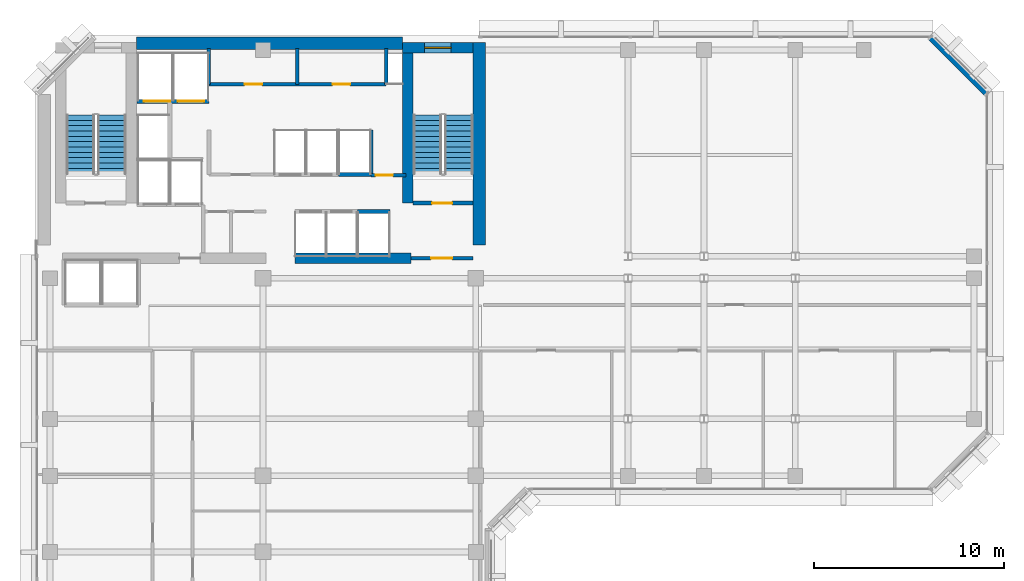
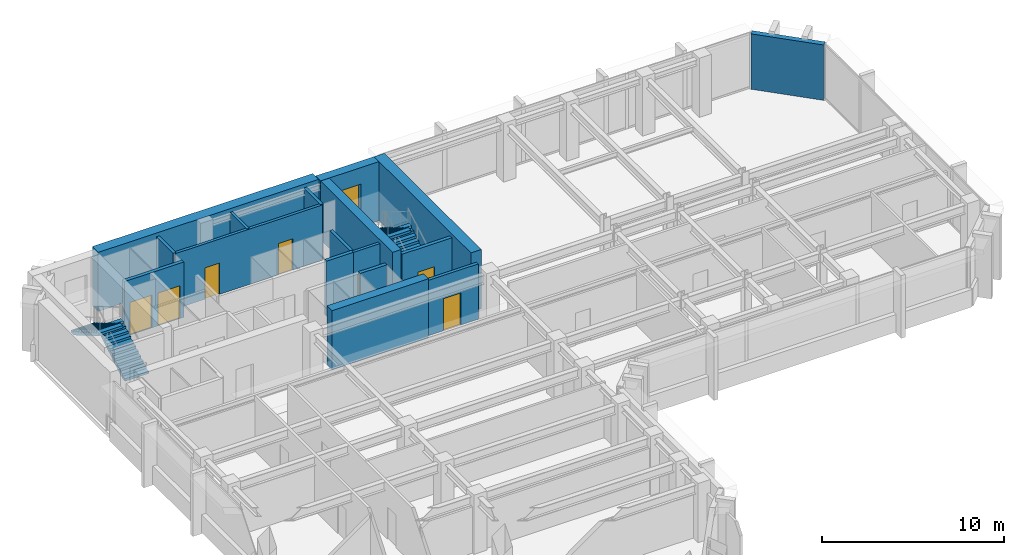
# One storey, part 8 of 11: 17 walls, 7 doors, 4 stair flights, 1 window, 8 openings, 2 elements without a shape of their own.
"""IFC4 building model written with IfcOpenShell, lengths in metres."""

from ifc_helpers import new_model, si_unit, direction, frame, frame_2d, origin, place, context, subcontext, project, spatial, polyline, rectangle, outline, extrude, material, layer, layer_set, type_object, element, fill, aggregate, save


model = new_model("IFC4")

# Units and contexts
model_context = context("Model", 3, precision=1e-05, world=origin(), true_north=direction((0.0, 1.0)))
body_context = subcontext(model_context, "Body", "Model", "MODEL_VIEW")
ifc_project = project(units=[si_unit("LENGTHUNIT", "METRE"), si_unit("AREAUNIT", "SQUARE_METRE"), si_unit("VOLUMEUNIT", "CUBIC_METRE"), si_unit("PLANEANGLEUNIT", "RADIAN"), si_unit("MASSUNIT", "GRAM", prefix="KILO")], contexts=[model_context])

# Site, building, storey
site_placement = place(None, origin())
site = spatial("IfcSite", under=ifc_project, at=site_placement, CompositionType="ELEMENT")
building_placement = place(site_placement, origin())
building = spatial("IfcBuilding", under=site, at=building_placement, Name="Kefirva Bronze Tower", CompositionType="ELEMENT")
storey_placement = place(building_placement, frame((0.0, 0.0, 191.39990234375)))
storey = spatial("IfcBuildingStorey", under=building, at=storey_placement, Name="L46", CompositionType="ELEMENT", Elevation=191.39990234375)

# Wall, opening, door
ifc_material_1 = material(Name="Gypsum fireboard shaftwall")
ifc_layer_1 = layer(ifc_material_1, 0.219970703125, Name="Gypsum fireboard shaftwall")
ifc_layer_set_1 = layer_set([ifc_layer_1], Name="Gypsum fireboard shaftwall")
wall_type_1 = type_object("IfcWallType", Name="Fire-Rated Shaft Enclosure Wall 220mm", PredefinedType="PARTITIONING", material=ifc_layer_set_1)
wall_1_placement = place(storey_placement, frame((19.89990234375, 37.14990234375, 0.0), z_axis=(0.0, 0.0, 1.0), x_axis=(1.0, 0.0, 0.0)))
wall_1 = element("IfcWall", 1, at=wall_1_placement, inside=storey, type_object=wall_type_1, Name="L46 Partition W-L46-ST2S", PredefinedType="PARTITIONING", context=body_context, shape_type="SweptSolid", body=[
    extrude(rectangle(XDim=3.150146484375, YDim=0.219970703125, at=frame_2d((1.5751953125, 0.0))), origin(), (0.0, 0.0, 1.0), 3.710205078125),
])
opening_1_placement = place(wall_1_placement, frame((2.050048828125, 0.0, 0.0), z_axis=(0.0, 0.0, 1.0), x_axis=(-1.0, 0.0, 0.0)))
opening_1 = element("IfcOpeningElement", 2, at=opening_1_placement, cuts=wall_1, Name="Opening L46-D003", PredefinedType="OPENING", context=body_context, shape_type="SweptSolid", body=[
    extrude(rectangle(XDim=1.050048828125, YDim=2.14990234375, at=frame_2d((0.52490234375, 1.074951171875))), frame((0.0, 0.1201171875, 0.0), z_axis=(0.0, -1.0, 0.0), x_axis=(1.0, 0.0, 0.0)), (0.0, 0.0, 1.0), 0.239990234375),
])
ifc_material_2 = material(Name="Painted galvanized steel", Category="steel")
door_type_1 = type_object("IfcDoorType", Name="Fire Stair Enclosure Door 1050x2150 FD90S", OperationType="NOTDEFINED", PredefinedType="DOOR", material=ifc_material_2)
door_1_placement = place(opening_1_placement, origin())
door_1 = element("IfcDoor", 3, at=door_1_placement, inside=storey, type_object=door_type_1, Name="Door L46-D003", OperationType="SINGLE_SWING_RIGHT", OverallHeight=2.14990234375, OverallWidth=1.050048828125, PredefinedType="DOOR", context=body_context, shape_type="SweptSolid", body=[
    extrude(rectangle(XDim=1.050048828125, YDim=2.14990234375, at=frame_2d((0.52490234375, 1.074951171875))), frame((0.0, 0.02490234375, 0.0), z_axis=(0.0, -1.0, 0.0), x_axis=(1.0, 0.0, 0.0)), (0.0, 0.0, 1.0), 0.050048828125),
])
fill(opening_1, door_1)

# Wall, openings, doors
wall_2_placement = place(storey_placement, frame((5.3798828125, 42.5, 0.0), z_axis=(0.0, 0.0, 1.0), x_axis=(1.0, 0.0, 0.0)))
wall_2 = element("IfcWall", 4, at=wall_2_placement, inside=storey, type_object=wall_type_1, Name="L46 Partition W-L46-SVS", PredefinedType="PARTITIONING", context=body_context, shape_type="SweptSolid", body=[
    extrude(rectangle(XDim=3.77001953125, YDim=0.219970703125, at=frame_2d((1.885009765625, 0.0))), origin(), (0.0, 0.0, 1.0), 3.710205078125),
])
opening_2_placement = place(wall_2_placement, frame((1.75, 0.0, 0.0), z_axis=(0.0, 0.0, 1.0), x_axis=(-1.0, 0.0, 0.0)))
opening_2 = element("IfcOpeningElement", 5, at=opening_2_placement, cuts=wall_2, Name="Opening L46-LD-SV1", PredefinedType="OPENING", context=body_context, shape_type="SweptSolid", body=[
    extrude(rectangle(XDim=1.39990234375, YDim=2.199951171875, at=frame_2d((0.699951171875, 1.10009765625))), frame((0.0, 0.1201171875, 0.0), z_axis=(0.0, -1.0, 0.0), x_axis=(1.0, 0.0, 0.0)), (0.0, 0.0, 1.0), 0.239990234375),
])
opening_3_placement = place(wall_2_placement, frame((3.52978515625, 0.0, 0.0), z_axis=(0.0, 0.0, 1.0), x_axis=(-1.0, 0.0, 0.0)))
opening_3 = element("IfcOpeningElement", 6, at=opening_3_placement, cuts=wall_2, Name="Opening L46-LD-SV2", PredefinedType="OPENING", context=body_context, shape_type="SweptSolid", body=[
    extrude(rectangle(XDim=1.39990234375, YDim=2.199951171875, at=frame_2d((0.699951171875, 1.10009765625))), frame((0.0, 0.1201171875, 0.0), z_axis=(0.0, -1.0, 0.0), x_axis=(1.0, 0.0, 0.0)), (0.0, 0.0, 1.0), 0.239990234375),
])
ifc_material_3 = material(Name="Stainless steel 316", Category="steel")
door_type_2 = type_object("IfcDoorType", Name="Goods Lift Bi-Parting Sliding Door 1400x2200", OperationType="SLIDING_TO_LEFT", PredefinedType="DOOR", material=ifc_material_3)
door_2_placement = place(opening_2_placement, origin())
door_2 = element("IfcDoor", 7, at=door_2_placement, inside=storey, type_object=door_type_2, Name="Door L46-LD-SV1", OperationType="SLIDING_TO_LEFT", OverallHeight=2.199951171875, OverallWidth=1.39990234375, PredefinedType="DOOR", context=body_context, shape_type="SweptSolid", body=[
    extrude(rectangle(XDim=1.39990234375, YDim=2.199951171875, at=frame_2d((0.699951171875, 1.10009765625))), frame((0.0, 0.02490234375, 0.0), z_axis=(0.0, -1.0, 0.0), x_axis=(1.0, 0.0, 0.0)), (0.0, 0.0, 1.0), 0.050048828125),
])
fill(opening_2, door_2)
door_3_placement = place(opening_3_placement, origin())
door_3 = element("IfcDoor", 8, at=door_3_placement, inside=storey, type_object=door_type_2, Name="Door L46-LD-SV2", OperationType="SLIDING_TO_LEFT", OverallHeight=2.199951171875, OverallWidth=1.39990234375, PredefinedType="DOOR", context=body_context, shape_type="SweptSolid", body=[
    extrude(rectangle(XDim=1.39990234375, YDim=2.199951171875, at=frame_2d((0.699951171875, 1.10009765625))), frame((0.0, 0.02490234375, 0.0), z_axis=(0.0, -1.0, 0.0), x_axis=(1.0, 0.0, 0.0)), (0.0, 0.0, 1.0), 0.050048828125),
])
fill(opening_3, door_3)

# Walls
wall_3_placement = place(storey_placement, frame((17.679931640625, 38.64990234375, 0.0), z_axis=(0.0, 0.0, 1.0), x_axis=(0.0, 1.0, 0.0)))
element("IfcWall", 9, at=wall_3_placement, inside=storey, type_object=wall_type_1, Name="L46 Partition W-L46-HP2E", PredefinedType="PARTITIONING", context=body_context, shape_type="SweptSolid", body=[
    extrude(rectangle(XDim=2.35009765625, YDim=0.199951171875, at=frame_2d((1.175048828125, 0.0))), origin(), (0.0, 0.0, 1.0), 3.710205078125),
])
wall_4_placement = place(storey_placement, frame((16.97998046875, 36.699951171875, 0.0), z_axis=(0.0, 0.0, 1.0), x_axis=(1.0, 0.0, 0.0)))
element("IfcWall", 10, at=wall_4_placement, inside=storey, type_object=wall_type_1, Name="L46 Partition W-L46-HPS", PredefinedType="PARTITIONING", context=body_context, shape_type="SweptSolid", body=[
    extrude(rectangle(XDim=1.699951171875, YDim=0.219970703125, at=frame_2d((0.85009765625, 0.0))), origin(), (0.0, 0.0, 1.0), 3.710205078125),
])
wall_5_placement = place(storey_placement, frame((15.97998046875, 38.64990234375, 0.0), z_axis=(0.0, 0.0, 1.0), x_axis=(1.0, 0.0, 0.0)))
element("IfcWall", 11, at=wall_5_placement, inside=storey, type_object=wall_type_1, Name="L46 Partition W-L46-HPN", PredefinedType="PARTITIONING", context=body_context, shape_type="SweptSolid", body=[
    extrude(rectangle(XDim=1.719970703125, YDim=0.219970703125, at=frame_2d((0.85986328125, 0.0))), origin(), (0.0, 0.0, 1.0), 3.710205078125),
])

# Wall, opening, door
ifc_material_4 = material(Name="Gypsum fireboard barrier")
ifc_layer_2 = layer(ifc_material_4, 0.199951171875, Name="Gypsum fireboard barrier")
ifc_layer_set_2 = layer_set([ifc_layer_2], Name="Gypsum fireboard barrier")
wall_type_2 = type_object("IfcWallType", Name="Firefighting Lobby Barrier Wall 200mm", PredefinedType="PARTITIONING", material=ifc_layer_set_2)
wall_6_placement = place(storey_placement, frame((19.800048828125, 34.25, 0.0), z_axis=(0.0, 0.0, 1.0), x_axis=(1.0, 0.0, 0.0)))
wall_6 = element("IfcWall", 12, at=wall_6_placement, inside=storey, type_object=wall_type_2, Name="L46 Partition W-L46-ST2F", PredefinedType="PARTITIONING", context=body_context, shape_type="SweptSolid", body=[
    extrude(rectangle(XDim=3.25, YDim=0.199951171875, at=frame_2d((1.625, 0.0))), origin(), (0.0, 0.0, 1.0), 3.710205078125),
])
opening_4_placement = place(wall_6_placement, frame((2.150146484375, 0.0, 0.0), z_axis=(0.0, 0.0, 1.0), x_axis=(-1.0, 0.0, 0.0)))
opening_4 = element("IfcOpeningElement", 13, at=opening_4_placement, cuts=wall_6, Name="Opening L46-D004", PredefinedType="OPENING", context=body_context, shape_type="SweptSolid", body=[
    extrude(rectangle(XDim=1.10009765625, YDim=2.14990234375, at=frame_2d((0.550048828125, 1.074951171875))), frame((0.0, 0.10986328125, 0.0), z_axis=(0.0, -1.0, 0.0), x_axis=(1.0, 0.0, 0.0)), (0.0, 0.0, 1.0), 0.219970703125),
])
door_type_3 = type_object("IfcDoorType", Name="Firefighting Lobby Smoke Door 1100x2150 FD60S", OperationType="NOTDEFINED", PredefinedType="DOOR", material=ifc_material_2)
door_4_placement = place(opening_4_placement, origin())
door_4 = element("IfcDoor", 14, at=door_4_placement, inside=storey, type_object=door_type_3, Name="Door L46-D004", OperationType="SINGLE_SWING_LEFT", OverallHeight=2.14990234375, OverallWidth=1.10009765625, PredefinedType="DOOR", context=body_context, shape_type="SweptSolid", body=[
    extrude(rectangle(XDim=1.10009765625, YDim=2.14990234375, at=frame_2d((0.550048828125, 1.074951171875))), frame((0.0, 0.02490234375, 0.0), z_axis=(0.0, -1.0, 0.0), x_axis=(1.0, 0.0, 0.0)), (0.0, 0.0, 1.0), 0.050048828125),
])
fill(opening_4, door_4)

wall_7_placement = place(storey_placement, frame((17.679931640625, 38.6201171875, 0.0), z_axis=(0.0, 0.0, 1.0), x_axis=(1.0, 0.0, 0.0)))
wall_7 = element("IfcWall", 15, at=wall_7_placement, inside=storey, type_object=wall_type_2, Name="L46 Partition W-L46-CPASS", PredefinedType="PARTITIONING", context=body_context, shape_type="SweptSolid", body=[
    extrude(rectangle(XDim=1.840087890625, YDim=0.179931640625, at=frame_2d((0.919921875, 0.0))), origin(), (0.0, 0.0, 1.0), 3.710205078125),
])
opening_5_placement = place(wall_7_placement, frame((0.239990234375, 0.0, 0.0)))
opening_5 = element("IfcOpeningElement", 16, at=opening_5_placement, cuts=wall_7, Name="Opening L46-D-CPAS", PredefinedType="OPENING", context=body_context, shape_type="SweptSolid", body=[
    extrude(rectangle(XDim=0.919921875, YDim=2.10009765625, at=frame_2d((0.4599609375, 1.050048828125))), frame((0.0, 0.10009765625, 0.0), z_axis=(0.0, -1.0, 0.0), x_axis=(1.0, 0.0, 0.0)), (0.0, 0.0, 1.0), 0.199951171875),
])
ifc_material_5 = material(Name="Moisture-resistant timber", Category="wood")
door_type_4 = type_object("IfcDoorType", Name="Accessible Sanitary & WC Door 920x2100", OperationType="NOTDEFINED", PredefinedType="DOOR", material=ifc_material_5)
door_5_placement = place(opening_5_placement, origin())
door_5 = element("IfcDoor", 17, at=door_5_placement, inside=storey, type_object=door_type_4, Name="Door L46-D-CPAS", OperationType="SINGLE_SWING_RIGHT", OverallHeight=2.10009765625, OverallWidth=0.919921875, PredefinedType="DOOR", context=body_context, shape_type="SweptSolid", body=[
    extrude(rectangle(XDim=0.919921875, YDim=2.10009765625, at=frame_2d((0.4599609375, 1.050048828125))), frame((0.0, 0.02490234375, 0.0), z_axis=(0.0, -1.0, 0.0), x_axis=(1.0, 0.0, 0.0)), (0.0, 0.0, 1.0), 0.050048828125),
])
fill(opening_5, door_5)

# Wall
ifc_material_6 = material(Name="Precast concrete C40/50", Category="concrete")
ifc_layer_3 = layer(ifc_material_6, 0.320068359375, Name="Precast concrete C40/50")
ifc_layer_set_3 = layer_set([ifc_layer_3], Name="Precast concrete C40/50")
wall_type_3 = type_object("IfcWallType", Name="Precast Insulated Exterior Wall 320mm", PredefinedType="SOLIDWALL", material=ifc_layer_set_3)
wall_8_placement = place(storey_placement, frame((50.048095703125, 42.92578125, 0.0), z_axis=(0.0, 0.0, 1.0), x_axis=(-0.707136318428, 0.707077242712, 0.0)))
element("IfcWall", 18, at=wall_8_placement, inside=storey, type_object=wall_type_3, Name="L46 Exterior Facade Wall 6", PredefinedType="SOLIDWALL", context=body_context, shape_type="SweptSolid", body=[
    extrude(rectangle(XDim=4.132568359375, YDim=0.320068359375, at=frame_2d((2.06640625, 0.0))), origin(), (0.0, 0.0, 1.0), 3.710205078125),
])

# Wall, opening, window
ifc_material_7 = material(Name="Concrete C50/60", Category="concrete")
ifc_layer_4 = layer(ifc_material_7, 0.550048828125, Name="Concrete C50/60")
ifc_layer_set_4 = layer_set([ifc_layer_4], Name="Concrete C50/60")
wall_type_4 = type_object("IfcWallType", Name="RC Rear Core Exterior Wall 550mm", PredefinedType="SHEAR", material=ifc_layer_set_4)
wall_9_placement = place(storey_placement, frame((19.35009765625, 45.320068359375, 0.0), z_axis=(0.0, 0.0, 1.0), x_axis=(1.0, 0.0, 0.0)))
wall_9 = element("IfcWall", 19, at=wall_9_placement, inside=storey, type_object=wall_type_4, Name="L46 Stair 2 North Shear Wall", PredefinedType="SHEAR", context=body_context, shape_type="SweptSolid", body=[
    extrude(rectangle(XDim=3.68994140625, YDim=0.550048828125, at=frame_2d((1.844970703125, 0.0))), origin(), (0.0, 0.0, 1.0), 3.960205078125),
])
opening_6_placement = place(wall_9_placement, frame((1.14990234375, 0.0, 1.050048828125)))
opening_6 = element("IfcOpeningElement", 20, at=opening_6_placement, cuts=wall_9, Name="Opening WN-03", PredefinedType="OPENING", context=body_context, shape_type="SweptSolid", body=[
    extrude(rectangle(XDim=1.39990234375, YDim=1.800048828125, at=frame_2d((0.699951171875, 0.89990234375))), frame((0.0, 0.28515625, 0.0), z_axis=(0.0, -1.0, 0.0), x_axis=(1.0, 0.0, 0.0)), (0.0, 0.0, 1.0), 0.570068359375),
])
ifc_material_8 = material(Name="Laminated low-E double glazing", Category="glass")
window_type = type_object("IfcWindowType", Name="Rear-Core Stair Daylight Window 1400x1800", PartitioningType="SINGLE_PANEL", PredefinedType="WINDOW", material=ifc_material_8)
window_placement = place(opening_6_placement, origin())
window = element("IfcWindow", 21, at=window_placement, inside=storey, type_object=window_type, Name="L46 Stair 2 Daylight Window", OverallHeight=1.800048828125, OverallWidth=1.39990234375, PartitioningType="SINGLE_PANEL", PredefinedType="WINDOW", context=body_context, shape_type="SweptSolid", body=[
    extrude(rectangle(XDim=1.39990234375, YDim=1.800048828125, at=frame_2d((0.699951171875, 0.89990234375))), frame((0.0, 0.030029296875, 0.0), z_axis=(0.0, -1.0, 0.0), x_axis=(1.0, 0.0, 0.0)), (0.0, 0.0, 1.0), 0.06005859375),
])
fill(opening_6, window)

# Walls
ifc_layer_5 = layer(ifc_material_7, 0.64990234375, Name="Concrete C50/60")
ifc_layer_set_5 = layer_set([ifc_layer_5], Name="Concrete C50/60")
wall_type_5 = type_object("IfcWallType", Name="RC Rear Core Exterior Wall 650mm", PredefinedType="SHEAR", material=ifc_layer_set_5)
wall_10_placement = place(storey_placement, frame((5.360107421875, 45.550048828125, 0.0), z_axis=(0.0, 0.0, 1.0), x_axis=(1.0, 0.0, 0.0)))
element("IfcWall", 22, at=wall_10_placement, inside=storey, type_object=wall_type_5, Name="L46 Rear Core North Shear Wall", PredefinedType="SHEAR", context=body_context, shape_type="SweptSolid", body=[
    extrude(rectangle(XDim=13.97998046875, YDim=0.64990234375, at=frame_2d((6.989990234375, 0.0))), origin(), (0.0, 0.0, 1.0), 3.960205078125),
])
ifc_layer_6 = layer(ifc_material_7, 0.550048828125, Name="Concrete C50/60")
ifc_layer_set_6 = layer_set([ifc_layer_6], Name="Concrete C50/60")
wall_type_6 = type_object("IfcWallType", Name="RC Rear Core Interior Wall 550mm", PredefinedType="SHEAR", material=ifc_layer_set_6)
wall_11_placement = place(storey_placement, frame((19.6201171875, 37.14990234375, 0.0), z_axis=(0.0, 0.0, 1.0), x_axis=(0.0, 1.0, 0.0)))
element("IfcWall", 23, at=wall_11_placement, inside=storey, type_object=wall_type_6, Name="L46 Stair 2 West Shear Wall", PredefinedType="SHEAR", context=body_context, shape_type="SweptSolid", body=[
    extrude(rectangle(XDim=7.89013671875, YDim=0.550048828125, at=frame_2d((3.945068359375, 0.0))), origin(), (0.0, 0.0, 1.0), 3.960205078125),
])
ifc_layer_7 = layer(ifc_material_7, 0.64990234375, Name="Concrete C50/60")
ifc_layer_set_7 = layer_set([ifc_layer_7], Name="Concrete C50/60")
wall_type_7 = type_object("IfcWallType", Name="RC Rear Core Interior Wall 650mm", PredefinedType="SHEAR", material=ifc_layer_set_7)
wall_12_placement = place(storey_placement, frame((23.375, 34.949951171875, 0.0), z_axis=(0.0, 0.0, 1.0), x_axis=(0.0, 1.0, 0.0)))
element("IfcWall", 24, at=wall_12_placement, inside=storey, type_object=wall_type_7, Name="L46 Rear Core East Shear Wall", PredefinedType="SHEAR", context=body_context, shape_type="SweptSolid", body=[
    extrude(rectangle(XDim=10.64013671875, YDim=0.64990234375, at=frame_2d((5.320068359375, 0.0))), origin(), (0.0, 0.0, 1.0), 3.960205078125),
])
wall_13_placement = place(storey_placement, frame((13.679931640625, 34.25, 0.0), z_axis=(0.0, 0.0, 1.0), x_axis=(1.0, 0.0, 0.0)))
element("IfcWall", 25, at=wall_13_placement, inside=storey, type_object=wall_type_7, Name="L46 Rear Core South-East Shear Wall", PredefinedType="SHEAR", context=body_context, shape_type="SweptSolid", body=[
    extrude(rectangle(XDim=6.1201171875, YDim=0.550048828125, at=frame_2d((3.06005859375, 0.0))), origin(), (0.0, 0.0, 1.0), 3.960205078125),
])

# Wall, openings, doors
ifc_material_9 = material(Name="Moisture-resistant partition")
ifc_layer_8 = layer(ifc_material_9, 0.179931640625, Name="Moisture-resistant partition")
ifc_layer_set_8 = layer_set([ifc_layer_8], Name="Moisture-resistant partition")
wall_type_8 = type_object("IfcWallType", Name="Sanitary Plumbing Chase Wall 180mm", PredefinedType="PLUMBINGWALL", material=ifc_layer_set_8)
wall_14_placement = place(storey_placement, frame((9.14990234375, 43.39990234375, 0.0), z_axis=(0.0, 0.0, 1.0), x_axis=(1.0, 0.0, 0.0)))
wall_14 = element("IfcWall", 26, at=wall_14_placement, inside=storey, type_object=wall_type_8, Name="L46 Partition W-L46-SVCS", PredefinedType="PLUMBINGWALL", context=body_context, shape_type="SweptSolid", body=[
    extrude(rectangle(XDim=9.330078125, YDim=0.179931640625, at=frame_2d((4.6650390625, 0.0))), origin(), (0.0, 0.0, 1.0), 3.710205078125),
])
opening_7_placement = place(wall_14_placement, frame((1.8798828125, 0.0, 0.0)))
opening_7 = element("IfcOpeningElement", 27, at=opening_7_placement, cuts=wall_14, Name="Opening L46-D-CSVC1", PredefinedType="OPENING", context=body_context, shape_type="SweptSolid", body=[
    extrude(rectangle(XDim=0.919921875, YDim=2.10009765625, at=frame_2d((0.4599609375, 1.050048828125))), frame((0.0, 0.10009765625, 0.0), z_axis=(0.0, -1.0, 0.0), x_axis=(1.0, 0.0, 0.0)), (0.0, 0.0, 1.0), 0.199951171875),
])
opening_8_placement = place(wall_14_placement, frame((6.514892578125, 0.0, 0.0)))
opening_8 = element("IfcOpeningElement", 28, at=opening_8_placement, cuts=wall_14, Name="Opening L46-D-CSVC2", PredefinedType="OPENING", context=body_context, shape_type="SweptSolid", body=[
    extrude(rectangle(XDim=0.919921875, YDim=2.10009765625, at=frame_2d((0.4599609375, 1.050048828125))), frame((0.0, 0.10009765625, 0.0), z_axis=(0.0, -1.0, 0.0), x_axis=(1.0, 0.0, 0.0)), (0.0, 0.0, 1.0), 0.199951171875),
])
door_6_placement = place(opening_7_placement, origin())
door_6 = element("IfcDoor", 29, at=door_6_placement, inside=storey, type_object=door_type_4, Name="Door L46-D-CSVC1", OperationType="SINGLE_SWING_RIGHT", OverallHeight=2.10009765625, OverallWidth=0.919921875, PredefinedType="DOOR", context=body_context, shape_type="SweptSolid", body=[
    extrude(rectangle(XDim=0.919921875, YDim=2.10009765625, at=frame_2d((0.4599609375, 1.050048828125))), frame((0.0, 0.02490234375, 0.0), z_axis=(0.0, -1.0, 0.0), x_axis=(1.0, 0.0, 0.0)), (0.0, 0.0, 1.0), 0.050048828125),
])
fill(opening_7, door_6)
door_7_placement = place(opening_8_placement, origin())
door_7 = element("IfcDoor", 30, at=door_7_placement, inside=storey, type_object=door_type_4, Name="Door L46-D-CSVC2", OperationType="SINGLE_SWING_LEFT", OverallHeight=2.10009765625, OverallWidth=0.919921875, PredefinedType="DOOR", context=body_context, shape_type="SweptSolid", body=[
    extrude(rectangle(XDim=0.919921875, YDim=2.10009765625, at=frame_2d((0.4599609375, 1.050048828125))), frame((0.0, 0.02490234375, 0.0), z_axis=(0.0, -1.0, 0.0), x_axis=(1.0, 0.0, 0.0)), (0.0, 0.0, 1.0), 0.050048828125),
])
fill(opening_8, door_7)

# Walls
for number, where, z_axis, x_axis, name in (
    (31, (9.14990234375, 43.39990234375, 0.0), (0.0, 0.0, 1.0), (0.0, 1.0, 0.0), "L46 Partition W-L46-SVCW"),
    (32, (18.47998046875, 43.39990234375, 0.0), (0.0, 0.0, 1.0), (0.0, 1.0, 0.0), "L46 Partition W-L46-SVCE"),
    (33, (13.800048828125, 43.39990234375, 0.0), (0.0, 0.0, 1.0), (0.0, 1.0, 0.0), "L46 Partition W-L46-CSVD-1"),
):
    element("IfcWall", number, at=place(storey_placement, frame(where, z_axis=z_axis, x_axis=x_axis)), inside=storey, type_object=wall_type_8, Name=name, PredefinedType="PLUMBINGWALL", context=body_context, shape_type="SweptSolid", body=[
        extrude(rectangle(XDim=1.880126953125, YDim=0.179931640625, at=frame_2d((0.93994140625, 0.0))), origin(), (0.0, 0.0, 1.0), 3.710205078125),
    ])

# Stair, stair flights
ifc_material_10 = material(Name="Concrete C40/50", Category="concrete")
stair_type = type_object("IfcStairType", Name="RC Dogleg Protected Stair 24R", PredefinedType="HALF_TURN_STAIR", material=ifc_material_10)
stair_1_placement = place(storey_placement, origin())
stair_1 = element("IfcStair", 34, at=stair_1_placement, inside=storey, type_object=stair_type, Name="L46 Protected Exit Stair 1", PredefinedType="HALF_TURN_STAIR")
stair_flight_type = type_object("IfcStairFlightType", Name="RC Straight Stair Flight 24R", PredefinedType="STRAIGHT", material=ifc_material_10)
stair_flight_1_placement = place(storey_placement, frame((4.050048828125, 38.699951171875, 0.0), z_axis=(0.0, 0.0, 1.0), x_axis=(0.0, 1.0, 0.0)))
stair_flight_1 = element("IfcStairFlight", 35, at=stair_flight_1_placement, type_object=stair_flight_type, Name="ST-1 flight 1", NumberOfRisers=12, NumberOfTreads=11, PredefinedType="STRAIGHT", RiserHeight=0.165, TreadLength=0.28, context=body_context, shape_type="SweptSolid", body=[
    extrude(outline(polyline([(0.0, 0.0), (0.0, 0.1650390625), (0.280029296875, 0.1650390625), (0.280029296875, 0.330078125), (0.56005859375, 0.330078125), (0.56005859375, 0.4951171875), (0.840087890625, 0.4951171875), (0.840087890625, 0.659912109375), (1.1201171875, 0.659912109375), (1.1201171875, 0.824951171875), (1.39990234375, 0.824951171875), (1.39990234375, 0.989990234375), (1.679931640625, 0.989990234375), (1.679931640625, 1.155029296875), (1.9599609375, 1.155029296875), (1.9599609375, 1.320068359375), (2.239990234375, 1.320068359375), (2.239990234375, 1.485107421875), (2.52001953125, 1.485107421875), (2.52001953125, 1.64990234375), (2.800048828125, 1.64990234375), (2.800048828125, 1.81494140625), (3.080078125, 1.81494140625), (3.080078125, 1.97998046875), (3.080078125, 1.64111328125), (0.295166015625, 0.0), (0.0, 0.0)])), frame((0.0, 0.75, 0.0), z_axis=(0.0, -1.0, 0.0), x_axis=(1.0, 0.0, 0.0)), (0.0, 0.0, 1.0), 1.5),
])
stair_flight_2_placement = place(storey_placement, frame((2.39990234375, 41.780029296875, 1.97998046875), z_axis=(0.0, 0.0, 1.0), x_axis=(0.0, -1.0, 0.0)))
stair_flight_2 = element("IfcStairFlight", 36, at=stair_flight_2_placement, type_object=stair_flight_type, Name="ST-1 flight 2", NumberOfRisers=12, NumberOfTreads=11, PredefinedType="STRAIGHT", RiserHeight=0.165, TreadLength=0.28, context=body_context, shape_type="SweptSolid", body=[
    extrude(outline(polyline([(0.0, 0.0), (0.0, 0.1650390625), (0.280029296875, 0.1650390625), (0.280029296875, 0.330078125), (0.56005859375, 0.330078125), (0.56005859375, 0.4951171875), (0.840087890625, 0.4951171875), (0.840087890625, 0.659912109375), (1.1201171875, 0.659912109375), (1.1201171875, 0.824951171875), (1.39990234375, 0.824951171875), (1.39990234375, 0.989990234375), (1.679931640625, 0.989990234375), (1.679931640625, 1.155029296875), (1.9599609375, 1.155029296875), (1.9599609375, 1.320068359375), (2.239990234375, 1.320068359375), (2.239990234375, 1.485107421875), (2.52001953125, 1.485107421875), (2.52001953125, 1.64990234375), (2.800048828125, 1.64990234375), (2.800048828125, 1.81494140625), (3.080078125, 1.81494140625), (3.080078125, 1.97998046875), (3.080078125, 1.64111328125), (0.295166015625, 0.0), (0.0, 0.0)])), frame((0.0, 0.75, 0.0), z_axis=(0.0, -1.0, 0.0), x_axis=(1.0, 0.0, 0.0)), (0.0, 0.0, 1.0), 1.5),
])
aggregate(stair_1, [stair_flight_1, stair_flight_2])

stair_2_placement = place(storey_placement, origin())
stair_2 = element("IfcStair", 37, at=stair_2_placement, inside=storey, type_object=stair_type, Name="L46 Protected Exit Stair 2", PredefinedType="HALF_TURN_STAIR")
stair_flight_3_placement = place(storey_placement, frame((22.300048828125, 38.699951171875, 0.0), z_axis=(0.0, 0.0, 1.0), x_axis=(0.0, 1.0, 0.0)))
stair_flight_3 = element("IfcStairFlight", 38, at=stair_flight_3_placement, type_object=stair_flight_type, Name="ST-2 flight 1", NumberOfRisers=12, NumberOfTreads=11, PredefinedType="STRAIGHT", RiserHeight=0.165, TreadLength=0.28, context=body_context, shape_type="SweptSolid", body=[
    extrude(outline(polyline([(0.0, 0.0), (0.0, 0.1650390625), (0.280029296875, 0.1650390625), (0.280029296875, 0.330078125), (0.56005859375, 0.330078125), (0.56005859375, 0.4951171875), (0.840087890625, 0.4951171875), (0.840087890625, 0.659912109375), (1.1201171875, 0.659912109375), (1.1201171875, 0.824951171875), (1.39990234375, 0.824951171875), (1.39990234375, 0.989990234375), (1.679931640625, 0.989990234375), (1.679931640625, 1.155029296875), (1.9599609375, 1.155029296875), (1.9599609375, 1.320068359375), (2.239990234375, 1.320068359375), (2.239990234375, 1.485107421875), (2.52001953125, 1.485107421875), (2.52001953125, 1.64990234375), (2.800048828125, 1.64990234375), (2.800048828125, 1.81494140625), (3.080078125, 1.81494140625), (3.080078125, 1.97998046875), (3.080078125, 1.64111328125), (0.295166015625, 0.0), (0.0, 0.0)])), frame((0.0, 0.75, 0.0), z_axis=(0.0, -1.0, 0.0), x_axis=(1.0, 0.0, 0.0)), (0.0, 0.0, 1.0), 1.5),
])
stair_flight_4_placement = place(storey_placement, frame((20.64990234375, 41.780029296875, 1.97998046875), z_axis=(0.0, 0.0, 1.0), x_axis=(0.0, -1.0, 0.0)))
stair_flight_4 = element("IfcStairFlight", 39, at=stair_flight_4_placement, type_object=stair_flight_type, Name="ST-2 flight 2", NumberOfRisers=12, NumberOfTreads=11, PredefinedType="STRAIGHT", RiserHeight=0.165, TreadLength=0.28, context=body_context, shape_type="SweptSolid", body=[
    extrude(outline(polyline([(0.0, 0.0), (0.0, 0.1650390625), (0.280029296875, 0.1650390625), (0.280029296875, 0.330078125), (0.56005859375, 0.330078125), (0.56005859375, 0.4951171875), (0.840087890625, 0.4951171875), (0.840087890625, 0.659912109375), (1.1201171875, 0.659912109375), (1.1201171875, 0.824951171875), (1.39990234375, 0.824951171875), (1.39990234375, 0.989990234375), (1.679931640625, 0.989990234375), (1.679931640625, 1.155029296875), (1.9599609375, 1.155029296875), (1.9599609375, 1.320068359375), (2.239990234375, 1.320068359375), (2.239990234375, 1.485107421875), (2.52001953125, 1.485107421875), (2.52001953125, 1.64990234375), (2.800048828125, 1.64990234375), (2.800048828125, 1.81494140625), (3.080078125, 1.81494140625), (3.080078125, 1.97998046875), (3.080078125, 1.64111328125), (0.295166015625, 0.0), (0.0, 0.0)])), frame((0.0, 0.75, 0.0), z_axis=(0.0, -1.0, 0.0), x_axis=(1.0, 0.0, 0.0)), (0.0, 0.0, 1.0), 1.5),
])
aggregate(stair_2, [stair_flight_3, stair_flight_4])

save(model, "model.ifc")
